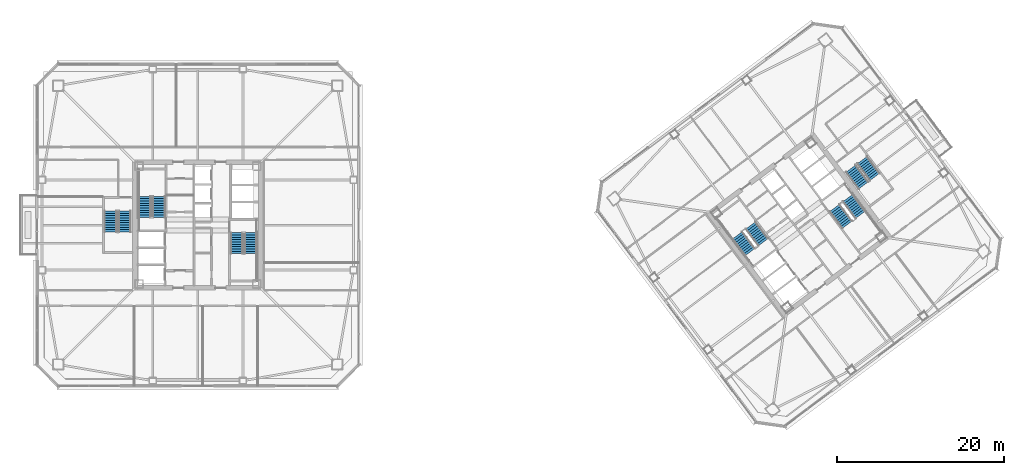
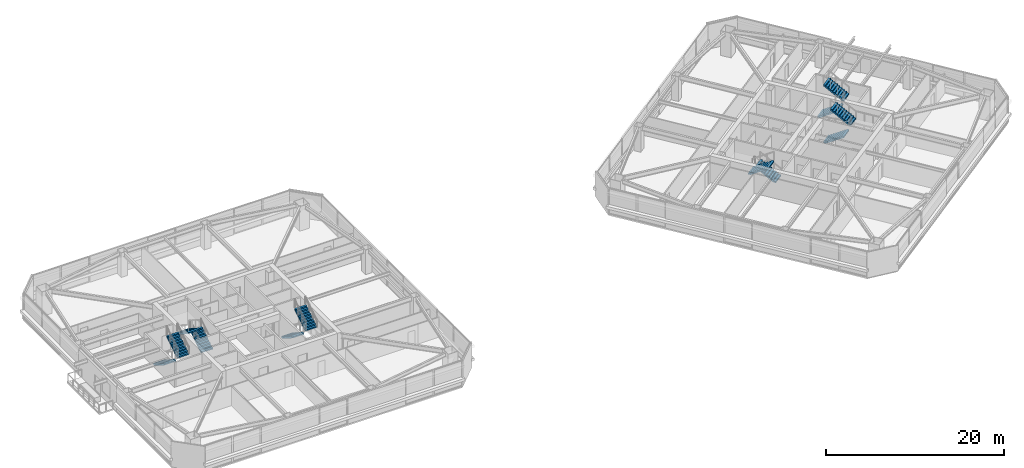
# One storey, part 38 of 44: 12 stair flights, 6 elements without a shape of their own.
"""IFC4 building model written with IfcOpenShell, lengths in metres."""

from ifc_helpers import new_model, si_unit, direction, frame, origin, place, context, subcontext, project, spatial, polyline, outline, extrude, material, type_object, element, aggregate, save


model = new_model("IFC4")

# Units and contexts
model_context = context("Model", 3, precision=1e-05, world=origin(), true_north=direction((0.0, 1.0)))
body_context = subcontext(model_context, "Body", "Model", "MODEL_VIEW")
ifc_project = project(units=[si_unit("LENGTHUNIT", "METRE"), si_unit("AREAUNIT", "SQUARE_METRE"), si_unit("VOLUMEUNIT", "CUBIC_METRE"), si_unit("PLANEANGLEUNIT", "RADIAN"), si_unit("MASSUNIT", "GRAM", prefix="KILO")], contexts=[model_context])

# Site, building, storey
site_placement = place(None, origin())
site = spatial("IfcSite", under=ifc_project, at=site_placement, CompositionType="ELEMENT")
building_placement = place(site_placement, origin())
building = spatial("IfcBuilding", under=site, at=building_placement, Name="Tashvorn Skyway Center", CompositionType="ELEMENT")
storey_placement = place(building_placement, frame((0.0, 0.0, 128.60009765625)))
storey = spatial("IfcBuildingStorey", under=building, at=storey_placement, Name="L34", CompositionType="ELEMENT", Elevation=128.60009765625)

# Stair, stair flights
ifc_material = material(Name="Concrete C40/50", Category="concrete")
stair_type = type_object("IfcStairType", Name="STAIR-CORE-1500", PredefinedType="HALF_TURN_STAIR", material=ifc_material)
stair_1_placement = place(storey_placement, origin())
stair_1 = element("IfcStair", 1, at=stair_1_placement, inside=storey, type_object=stair_type, Name="L34 Tower 1 Exit Stair 1", PredefinedType="HALF_TURN_STAIR")
stair_flight_type = type_object("IfcStairFlightType", Name="SFLIGHT-1500", PredefinedType="STRAIGHT", material=ifc_material)
stair_flight_1_placement = place(storey_placement, frame((37.35009765625, 32.919921875, 0.0), z_axis=(0.0, 0.0, 1.0), x_axis=(0.0, 1.0, 0.0)))
stair_flight_1 = element("IfcStairFlight", 2, at=stair_flight_1_placement, type_object=stair_flight_type, Name="ST-T1-1 flight 1", NumberOfRisers=10, NumberOfTreads=9, PredefinedType="STRAIGHT", RiserHeight=0.1775, TreadLength=0.28, context=body_context, shape_type="SweptSolid", body=[
    extrude(outline(polyline([(0.0, 0.0), (0.0, 0.177490234375), (0.280029296875, 0.177490234375), (0.280029296875, 0.35498046875), (0.56005859375, 0.35498046875), (0.56005859375, 0.532470703125), (0.840087890625, 0.532470703125), (0.840087890625, 0.7099609375), (1.1201171875, 0.7099609375), (1.1201171875, 0.887451171875), (1.39990234375, 0.887451171875), (1.39990234375, 1.06494140625), (1.679931640625, 1.06494140625), (1.679931640625, 1.242431640625), (1.9599609375, 1.242431640625), (1.9599609375, 1.419921875), (2.239990234375, 1.419921875), (2.239990234375, 1.597412109375), (2.52001953125, 1.597412109375), (2.52001953125, 1.77490234375), (2.52001953125, 1.419921875), (0.280029296875, 0.0), (0.0, 0.0)])), frame((0.0, 0.75, 0.0), z_axis=(0.0, -1.0, 0.0), x_axis=(1.0, 0.0, 0.0)), (0.0, 0.0, 1.0), 1.5),
])
stair_flight_2_placement = place(storey_placement, frame((35.64990234375, 35.43994140625, 1.77490234375), z_axis=(0.0, 0.0, 1.0), x_axis=(0.0, -1.0, 0.0)))
stair_flight_2 = element("IfcStairFlight", 3, at=stair_flight_2_placement, type_object=stair_flight_type, Name="ST-T1-1 flight 2", NumberOfRisers=10, NumberOfTreads=9, PredefinedType="STRAIGHT", RiserHeight=0.1775, TreadLength=0.28, context=body_context, shape_type="SweptSolid", body=[
    extrude(outline(polyline([(0.0, 0.0), (0.0, 0.177490234375), (0.280029296875, 0.177490234375), (0.280029296875, 0.35498046875), (0.56005859375, 0.35498046875), (0.56005859375, 0.532470703125), (0.840087890625, 0.532470703125), (0.840087890625, 0.7099609375), (1.1201171875, 0.7099609375), (1.1201171875, 0.887451171875), (1.39990234375, 0.887451171875), (1.39990234375, 1.06494140625), (1.679931640625, 1.06494140625), (1.679931640625, 1.242431640625), (1.9599609375, 1.242431640625), (1.9599609375, 1.419921875), (2.239990234375, 1.419921875), (2.239990234375, 1.597412109375), (2.52001953125, 1.597412109375), (2.52001953125, 1.77490234375), (2.52001953125, 1.419921875), (0.280029296875, 0.0), (0.0, 0.0)])), frame((0.0, 0.75, 0.0), z_axis=(0.0, -1.0, 0.0), x_axis=(1.0, 0.0, 0.0)), (0.0, 0.0, 1.0), 1.5),
])
aggregate(stair_1, [stair_flight_1, stair_flight_2])

stair_2_placement = place(storey_placement, origin())
stair_2 = element("IfcStair", 4, at=stair_2_placement, inside=storey, type_object=stair_type, Name="L34 Tower 1 Exit Stair 2", PredefinedType="HALF_TURN_STAIR")
stair_flight_3_placement = place(storey_placement, frame((46.64990234375, 31.080078125, 0.0), z_axis=(0.0, 0.0, 1.0), x_axis=(0.0, -1.0, 0.0)))
stair_flight_3 = element("IfcStairFlight", 5, at=stair_flight_3_placement, type_object=stair_flight_type, Name="ST-T1-2 flight 1", NumberOfRisers=10, NumberOfTreads=9, PredefinedType="STRAIGHT", RiserHeight=0.1775, TreadLength=0.28, context=body_context, shape_type="SweptSolid", body=[
    extrude(outline(polyline([(0.0, 0.0), (0.0, 0.177490234375), (0.280029296875, 0.177490234375), (0.280029296875, 0.35498046875), (0.56005859375, 0.35498046875), (0.56005859375, 0.532470703125), (0.840087890625, 0.532470703125), (0.840087890625, 0.7099609375), (1.1201171875, 0.7099609375), (1.1201171875, 0.887451171875), (1.39990234375, 0.887451171875), (1.39990234375, 1.06494140625), (1.679931640625, 1.06494140625), (1.679931640625, 1.242431640625), (1.9599609375, 1.242431640625), (1.9599609375, 1.419921875), (2.239990234375, 1.419921875), (2.239990234375, 1.597412109375), (2.52001953125, 1.597412109375), (2.52001953125, 1.77490234375), (2.52001953125, 1.419921875), (0.280029296875, 0.0), (0.0, 0.0)])), frame((0.0, 0.75, 0.0), z_axis=(0.0, -1.0, 0.0), x_axis=(1.0, 0.0, 0.0)), (0.0, 0.0, 1.0), 1.5),
])
stair_flight_4_placement = place(storey_placement, frame((48.35009765625, 28.56005859375, 1.77490234375), z_axis=(0.0, 0.0, 1.0), x_axis=(0.0, 1.0, 0.0)))
stair_flight_4 = element("IfcStairFlight", 6, at=stair_flight_4_placement, type_object=stair_flight_type, Name="ST-T1-2 flight 2", NumberOfRisers=10, NumberOfTreads=9, PredefinedType="STRAIGHT", RiserHeight=0.1775, TreadLength=0.28, context=body_context, shape_type="SweptSolid", body=[
    extrude(outline(polyline([(0.0, 0.0), (0.0, 0.177490234375), (0.280029296875, 0.177490234375), (0.280029296875, 0.35498046875), (0.56005859375, 0.35498046875), (0.56005859375, 0.532470703125), (0.840087890625, 0.532470703125), (0.840087890625, 0.7099609375), (1.1201171875, 0.7099609375), (1.1201171875, 0.887451171875), (1.39990234375, 0.887451171875), (1.39990234375, 1.06494140625), (1.679931640625, 1.06494140625), (1.679931640625, 1.242431640625), (1.9599609375, 1.242431640625), (1.9599609375, 1.419921875), (2.239990234375, 1.419921875), (2.239990234375, 1.597412109375), (2.52001953125, 1.597412109375), (2.52001953125, 1.77490234375), (2.52001953125, 1.419921875), (0.280029296875, 0.0), (0.0, 0.0)])), frame((0.0, 0.75, 0.0), z_axis=(0.0, -1.0, 0.0), x_axis=(1.0, 0.0, 0.0)), (0.0, 0.0, 1.0), 1.5),
])
aggregate(stair_2, [stair_flight_3, stair_flight_4])

stair_3_placement = place(storey_placement, origin())
stair_3 = element("IfcStair", 7, at=stair_3_placement, inside=storey, type_object=stair_type, Name="L34 Tower 2 Exit Stair 1", PredefinedType="HALF_TURN_STAIR")
stair_flight_5_placement = place(storey_placement, frame((109.72802734375, 29.946044921875, 0.0), z_axis=(0.0, 0.0, 1.0), x_axis=(-0.600000004945, 0.799999996291, 0.0)))
stair_flight_5 = element("IfcStairFlight", 8, at=stair_flight_5_placement, type_object=stair_flight_type, Name="ST-T2-1 flight 1", NumberOfRisers=10, NumberOfTreads=9, PredefinedType="STRAIGHT", RiserHeight=0.1775, TreadLength=0.28, context=body_context, shape_type="SweptSolid", body=[
    extrude(outline(polyline([(0.0, 0.0), (0.0, 0.177490234375), (0.280029296875, 0.177490234375), (0.280029296875, 0.35498046875), (0.56005859375, 0.35498046875), (0.56005859375, 0.532470703125), (0.840087890625, 0.532470703125), (0.840087890625, 0.7099609375), (1.1201171875, 0.7099609375), (1.1201171875, 0.887451171875), (1.39990234375, 0.887451171875), (1.39990234375, 1.06494140625), (1.679931640625, 1.06494140625), (1.679931640625, 1.242431640625), (1.9599609375, 1.242431640625), (1.9599609375, 1.419921875), (2.239990234375, 1.419921875), (2.239990234375, 1.597412109375), (2.52001953125, 1.597412109375), (2.52001953125, 1.77490234375), (2.52001953125, 1.419921875), (0.280029296875, 0.0), (0.0, 0.0)])), frame((0.0, 0.75, 0.0), z_axis=(0.0, -1.0, 0.0), x_axis=(1.0, 0.0, 0.0)), (0.0, 0.0, 1.0), 1.5),
])
stair_flight_6_placement = place(storey_placement, frame((106.632080078125, 30.77392578125, 1.77490234375), z_axis=(0.0, 0.0, 1.0), x_axis=(0.600000004945, -0.799999996291, 0.0)))
stair_flight_6 = element("IfcStairFlight", 9, at=stair_flight_6_placement, type_object=stair_flight_type, Name="ST-T2-1 flight 2", NumberOfRisers=10, NumberOfTreads=9, PredefinedType="STRAIGHT", RiserHeight=0.1775, TreadLength=0.28, context=body_context, shape_type="SweptSolid", body=[
    extrude(outline(polyline([(0.0, 0.0), (0.0, 0.177490234375), (0.280029296875, 0.177490234375), (0.280029296875, 0.35498046875), (0.56005859375, 0.35498046875), (0.56005859375, 0.532470703125), (0.840087890625, 0.532470703125), (0.840087890625, 0.7099609375), (1.1201171875, 0.7099609375), (1.1201171875, 0.887451171875), (1.39990234375, 0.887451171875), (1.39990234375, 1.06494140625), (1.679931640625, 1.06494140625), (1.679931640625, 1.242431640625), (1.9599609375, 1.242431640625), (1.9599609375, 1.419921875), (2.239990234375, 1.419921875), (2.239990234375, 1.597412109375), (2.52001953125, 1.597412109375), (2.52001953125, 1.77490234375), (2.52001953125, 1.419921875), (0.280029296875, 0.0), (0.0, 0.0)])), frame((0.0, 0.75, 0.0), z_axis=(0.0, -1.0, 0.0), x_axis=(1.0, 0.0, 0.0)), (0.0, 0.0, 1.0), 1.5),
])
aggregate(stair_3, [stair_flight_5, stair_flight_6])

stair_4_placement = place(storey_placement, origin())
stair_4 = element("IfcStair", 10, at=stair_4_placement, inside=storey, type_object=stair_type, Name="L34 Tower 2 Exit Stair 2", PredefinedType="HALF_TURN_STAIR")
stair_flight_7_placement = place(storey_placement, frame((118.27197265625, 34.053955078125, 0.0), z_axis=(0.0, 0.0, 1.0), x_axis=(0.600000004945, -0.799999996291, 0.0)))
stair_flight_7 = element("IfcStairFlight", 11, at=stair_flight_7_placement, type_object=stair_flight_type, Name="ST-T2-2 flight 1", NumberOfRisers=10, NumberOfTreads=9, PredefinedType="STRAIGHT", RiserHeight=0.1775, TreadLength=0.28, context=body_context, shape_type="SweptSolid", body=[
    extrude(outline(polyline([(0.0, 0.0), (0.0, 0.177490234375), (0.280029296875, 0.177490234375), (0.280029296875, 0.35498046875), (0.56005859375, 0.35498046875), (0.56005859375, 0.532470703125), (0.840087890625, 0.532470703125), (0.840087890625, 0.7099609375), (1.1201171875, 0.7099609375), (1.1201171875, 0.887451171875), (1.39990234375, 0.887451171875), (1.39990234375, 1.06494140625), (1.679931640625, 1.06494140625), (1.679931640625, 1.242431640625), (1.9599609375, 1.242431640625), (1.9599609375, 1.419921875), (2.239990234375, 1.419921875), (2.239990234375, 1.597412109375), (2.52001953125, 1.597412109375), (2.52001953125, 1.77490234375), (2.52001953125, 1.419921875), (0.280029296875, 0.0), (0.0, 0.0)])), frame((0.0, 0.75, 0.0), z_axis=(0.0, -1.0, 0.0), x_axis=(1.0, 0.0, 0.0)), (0.0, 0.0, 1.0), 1.5),
])
stair_flight_8_placement = place(storey_placement, frame((121.367919921875, 33.22607421875, 1.77490234375), z_axis=(0.0, 0.0, 1.0), x_axis=(-0.600000004945, 0.799999996291, 0.0)))
stair_flight_8 = element("IfcStairFlight", 12, at=stair_flight_8_placement, type_object=stair_flight_type, Name="ST-T2-2 flight 2", NumberOfRisers=10, NumberOfTreads=9, PredefinedType="STRAIGHT", RiserHeight=0.1775, TreadLength=0.28, context=body_context, shape_type="SweptSolid", body=[
    extrude(outline(polyline([(0.0, 0.0), (0.0, 0.177490234375), (0.280029296875, 0.177490234375), (0.280029296875, 0.35498046875), (0.56005859375, 0.35498046875), (0.56005859375, 0.532470703125), (0.840087890625, 0.532470703125), (0.840087890625, 0.7099609375), (1.1201171875, 0.7099609375), (1.1201171875, 0.887451171875), (1.39990234375, 0.887451171875), (1.39990234375, 1.06494140625), (1.679931640625, 1.06494140625), (1.679931640625, 1.242431640625), (1.9599609375, 1.242431640625), (1.9599609375, 1.419921875), (2.239990234375, 1.419921875), (2.239990234375, 1.597412109375), (2.52001953125, 1.597412109375), (2.52001953125, 1.77490234375), (2.52001953125, 1.419921875), (0.280029296875, 0.0), (0.0, 0.0)])), frame((0.0, 0.75, 0.0), z_axis=(0.0, -1.0, 0.0), x_axis=(1.0, 0.0, 0.0)), (0.0, 0.0, 1.0), 1.5),
])
aggregate(stair_4, [stair_flight_7, stair_flight_8])

stair_5_placement = place(storey_placement, origin())
stair_5 = element("IfcStair", 13, at=stair_5_placement, inside=storey, type_object=stair_type, Name="L34 Tower 1 Exit Stair 3", PredefinedType="HALF_TURN_STAIR")
stair_flight_9_placement = place(storey_placement, frame((31.550048828125, 33.679931640625, 0.0), z_axis=(0.0, 0.0, 1.0), x_axis=(0.0, -1.0, 0.0)))
stair_flight_9 = element("IfcStairFlight", 14, at=stair_flight_9_placement, type_object=stair_flight_type, Name="ST-T1-3 flight 1", NumberOfRisers=10, NumberOfTreads=9, PredefinedType="STRAIGHT", RiserHeight=0.1775, TreadLength=0.28, context=body_context, shape_type="SweptSolid", body=[
    extrude(outline(polyline([(0.0, 0.0), (0.0, 0.177490234375), (0.280029296875, 0.177490234375), (0.280029296875, 0.35498046875), (0.56005859375, 0.35498046875), (0.56005859375, 0.532470703125), (0.840087890625, 0.532470703125), (0.840087890625, 0.7099609375), (1.1201171875, 0.7099609375), (1.1201171875, 0.887451171875), (1.39990234375, 0.887451171875), (1.39990234375, 1.06494140625), (1.679931640625, 1.06494140625), (1.679931640625, 1.242431640625), (1.9599609375, 1.242431640625), (1.9599609375, 1.419921875), (2.239990234375, 1.419921875), (2.239990234375, 1.597412109375), (2.52001953125, 1.597412109375), (2.52001953125, 1.77490234375), (2.52001953125, 1.419921875), (0.280029296875, 0.0), (0.0, 0.0)])), frame((0.0, 0.75, 0.0), z_axis=(0.0, -1.0, 0.0), x_axis=(1.0, 0.0, 0.0)), (0.0, 0.0, 1.0), 1.5),
])
stair_flight_10_placement = place(storey_placement, frame((33.25, 31.159912109375, 1.77490234375), z_axis=(0.0, 0.0, 1.0), x_axis=(0.0, 1.0, 0.0)))
stair_flight_10 = element("IfcStairFlight", 15, at=stair_flight_10_placement, type_object=stair_flight_type, Name="ST-T1-3 flight 2", NumberOfRisers=10, NumberOfTreads=9, PredefinedType="STRAIGHT", RiserHeight=0.1775, TreadLength=0.28, context=body_context, shape_type="SweptSolid", body=[
    extrude(outline(polyline([(0.0, 0.0), (0.0, 0.177490234375), (0.280029296875, 0.177490234375), (0.280029296875, 0.35498046875), (0.56005859375, 0.35498046875), (0.56005859375, 0.532470703125), (0.840087890625, 0.532470703125), (0.840087890625, 0.7099609375), (1.1201171875, 0.7099609375), (1.1201171875, 0.887451171875), (1.39990234375, 0.887451171875), (1.39990234375, 1.06494140625), (1.679931640625, 1.06494140625), (1.679931640625, 1.242431640625), (1.9599609375, 1.242431640625), (1.9599609375, 1.419921875), (2.239990234375, 1.419921875), (2.239990234375, 1.597412109375), (2.52001953125, 1.597412109375), (2.52001953125, 1.77490234375), (2.52001953125, 1.419921875), (0.280029296875, 0.0), (0.0, 0.0)])), frame((0.0, 0.75, 0.0), z_axis=(0.0, -1.0, 0.0), x_axis=(1.0, 0.0, 0.0)), (0.0, 0.0, 1.0), 1.5),
])
aggregate(stair_5, [stair_flight_9, stair_flight_10])

stair_6_placement = place(storey_placement, origin())
stair_6 = element("IfcStair", 16, at=stair_6_placement, inside=storey, type_object=stair_type, Name="L34 Tower 2 Exit Stair 3", PredefinedType="HALF_TURN_STAIR")
stair_flight_11_placement = place(storey_placement, frame((120.216064453125, 38.761962890625, 0.0), z_axis=(0.0, 0.0, 1.0), x_axis=(0.600000004945, -0.799999996291, 0.0)))
stair_flight_11 = element("IfcStairFlight", 17, at=stair_flight_11_placement, type_object=stair_flight_type, Name="ST-T2-3 flight 1", NumberOfRisers=10, NumberOfTreads=9, PredefinedType="STRAIGHT", RiserHeight=0.1775, TreadLength=0.28, context=body_context, shape_type="SweptSolid", body=[
    extrude(outline(polyline([(0.0, 0.0), (0.0, 0.177490234375), (0.280029296875, 0.177490234375), (0.280029296875, 0.35498046875), (0.56005859375, 0.35498046875), (0.56005859375, 0.532470703125), (0.840087890625, 0.532470703125), (0.840087890625, 0.7099609375), (1.1201171875, 0.7099609375), (1.1201171875, 0.887451171875), (1.39990234375, 0.887451171875), (1.39990234375, 1.06494140625), (1.679931640625, 1.06494140625), (1.679931640625, 1.242431640625), (1.9599609375, 1.242431640625), (1.9599609375, 1.419921875), (2.239990234375, 1.419921875), (2.239990234375, 1.597412109375), (2.52001953125, 1.597412109375), (2.52001953125, 1.77490234375), (2.52001953125, 1.419921875), (0.280029296875, 0.0), (0.0, 0.0)])), frame((0.0, 0.75, 0.0), z_axis=(0.0, -1.0, 0.0), x_axis=(1.0, 0.0, 0.0)), (0.0, 0.0, 1.0), 1.5),
])
stair_flight_12_placement = place(storey_placement, frame((123.087890625, 37.76611328125, 1.77490234375), z_axis=(0.0, 0.0, 1.0), x_axis=(-0.600000004945, 0.799999996291, 0.0)))
stair_flight_12 = element("IfcStairFlight", 18, at=stair_flight_12_placement, type_object=stair_flight_type, Name="ST-T2-3 flight 2", NumberOfRisers=10, NumberOfTreads=9, PredefinedType="STRAIGHT", RiserHeight=0.1775, TreadLength=0.28, context=body_context, shape_type="SweptSolid", body=[
    extrude(outline(polyline([(0.0, 0.0), (0.0, 0.177490234375), (0.280029296875, 0.177490234375), (0.280029296875, 0.35498046875), (0.56005859375, 0.35498046875), (0.56005859375, 0.532470703125), (0.840087890625, 0.532470703125), (0.840087890625, 0.7099609375), (1.1201171875, 0.7099609375), (1.1201171875, 0.887451171875), (1.39990234375, 0.887451171875), (1.39990234375, 1.06494140625), (1.679931640625, 1.06494140625), (1.679931640625, 1.242431640625), (1.9599609375, 1.242431640625), (1.9599609375, 1.419921875), (2.239990234375, 1.419921875), (2.239990234375, 1.597412109375), (2.52001953125, 1.597412109375), (2.52001953125, 1.77490234375), (2.52001953125, 1.419921875), (0.280029296875, 0.0), (0.0, 0.0)])), frame((0.0, 0.75, 0.0), z_axis=(0.0, -1.0, 0.0), x_axis=(1.0, 0.0, 0.0)), (0.0, 0.0, 1.0), 1.5),
])
aggregate(stair_6, [stair_flight_11, stair_flight_12])

save(model, "model.ifc")
